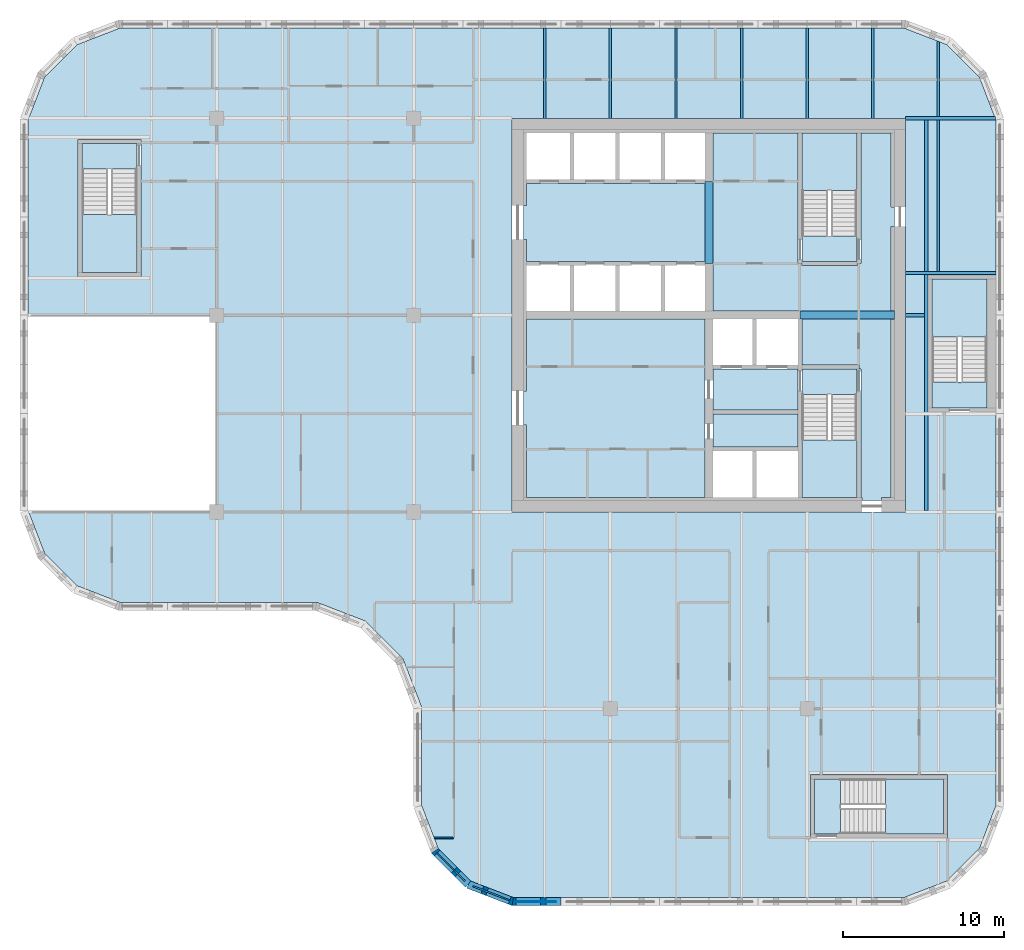
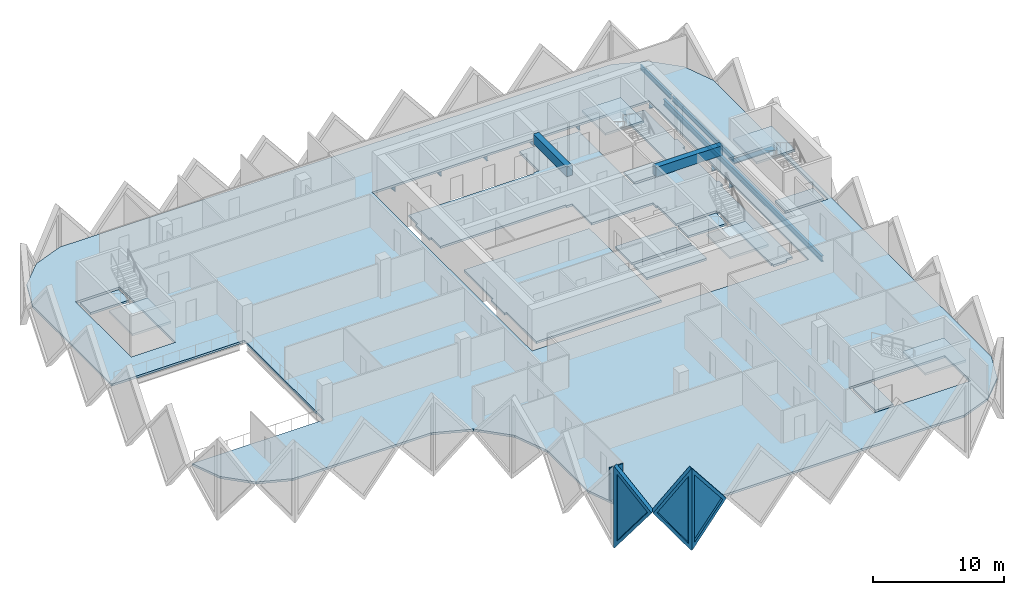
# One storey, part 2 of 12: 15 slabs, 14 beams, 4 walls, 3 plates, 3 openings, 5 elements without a shape of their own.
"""IFC4 building model written with IfcOpenShell, lengths in metres."""

from ifc_helpers import new_model, si_unit, direction, frame, frame_2d, origin, origin_2d, place, context, subcontext, project, spatial, polyline, rectangle, i_section, outline, extrude, faceted_brep, source, transform, mapped, material, layer, layer_set, material_profile, profile_set, type_object, element, fill, aggregate, save


model = new_model("IFC4")

# Units and contexts
model_context = context("Model", 3, precision=1e-05, world=origin(), true_north=direction((0.0, 1.0)))
body_context = subcontext(model_context, "Body", "Model", "MODEL_VIEW")
ifc_project = project(units=[si_unit("LENGTHUNIT", "METRE"), si_unit("AREAUNIT", "SQUARE_METRE"), si_unit("VOLUMEUNIT", "CUBIC_METRE"), si_unit("PLANEANGLEUNIT", "RADIAN"), si_unit("MASSUNIT", "GRAM", prefix="KILO")], contexts=[model_context])

# Site, building, storey
site_placement = place(None, origin())
site = spatial("IfcSite", under=ifc_project, at=site_placement, CompositionType="ELEMENT")
building_placement = place(site_placement, origin())
building = spatial("IfcBuilding", under=site, at=building_placement, Name="Tessera Gate Towers", CompositionType="ELEMENT")
storey_placement = place(building_placement, frame((0.0, 0.0, 143.0)))
storey = spatial("IfcBuildingStorey", under=building, at=storey_placement, Name="L35", CompositionType="ELEMENT", Elevation=143.0)

# Beams
ifc_material_1 = material(Name="Concrete C60/75", Category="concrete")
ifc_material_profile_1 = material_profile(ifc_material_1, rectangle(XDim=0.5, YDim=0.89990234375, at=origin_2d()), Name="RC 500x900")
ifc_profile_set_1 = profile_set([ifc_material_profile_1], Name="Concrete C60/75")
beam_type_1 = type_object("IfcBeamType", Name="COUPLING BEAM 500x900 C60/75", PredefinedType="BEAM", material=ifc_profile_set_1)
beam_1_placement = place(storey_placement, frame((48.35009765625, 36.60009765625, 3.14990234375), z_axis=(1.0, 0.0, 0.0), x_axis=(0.0, 1.0, 0.0)))
element("IfcBeam", 1, at=beam_1_placement, inside=storey, type_object=beam_type_1, Name="L35 coupling beam 1", PredefinedType="BEAM", context=body_context, shape_type="SweptSolid", body=[
    extrude(rectangle(XDim=0.5, YDim=0.89990234375, at=origin_2d()), origin(), (0.0, 0.0, 1.0), 5.849853515625),
])
beam_2_placement = place(storey_placement, frame((42.699951171875, 39.800048828125, 3.14990234375), z_axis=(0.0, 1.0, 0.0), x_axis=(-1.0, 0.0, 0.0)))
element("IfcBeam", 2, at=beam_2_placement, inside=storey, type_object=beam_type_1, Name="L35 coupling beam 2", PredefinedType="BEAM", context=body_context, shape_type="SweptSolid", body=[
    extrude(rectangle(XDim=0.5, YDim=0.89990234375, at=origin_2d()), origin(), (0.0, 0.0, 1.0), 5.099853515625),
])
ifc_material_2 = material(Name="Steel 350W", Category="steel")
ifc_material_profile_2 = material_profile(ifc_material_2, i_section(OverallWidth=0.208984375, OverallDepth=0.532958984375, WebThickness=0.01025390625, FlangeThickness=0.015625, at=origin_2d()), Name="W530x92")
ifc_profile_set_2 = profile_set([ifc_material_profile_2], Name="Steel 350W")
beam_type_2 = type_object("IfcBeamType", Name="FLOOR GIRDER W530x92", PredefinedType="BEAM", material=ifc_profile_set_2)
beam_3_placement = place(storey_placement, frame((54.89892578125, 36.60009765625, -0.466552734375), z_axis=(1.0, 0.0, 0.0), x_axis=(0.0, 1.0, 0.0)))
element("IfcBeam", 3, at=beam_3_placement, inside=storey, type_object=beam_type_2, Name="T1-GD-L35-4158", PredefinedType="BEAM", context=body_context, shape_type="SweptSolid", body=[
    extrude(i_section(OverallWidth=0.208984375, OverallDepth=0.532958984375, WebThickness=0.01025390625, FlangeThickness=0.015625, at=origin_2d()), origin(), (0.0, 0.0, 1.0), 1.176513671875),
])
beam_4_placement = place(storey_placement, frame((54.90087890625, 48.800048828125, -0.466552734375), z_axis=(1.0, 0.0, 0.0), x_axis=(0.0, 1.0, 0.0)))
element("IfcBeam", 4, at=beam_4_placement, inside=storey, type_object=beam_type_2, Name="T1-GD-L35-4162", PredefinedType="BEAM", context=body_context, shape_type="SweptSolid", body=[
    extrude(i_section(OverallWidth=0.208984375, OverallDepth=0.532958984375, WebThickness=0.01025390625, FlangeThickness=0.015625, at=origin_2d()), origin(), (0.0, 0.0, 1.0), 5.564208984375),
])
beam_5_placement = place(storey_placement, frame((54.89892578125, 39.219970703125, -0.466552734375), z_axis=(1.0, 0.0, 0.0), x_axis=(0.0, 1.0, 0.0)))
element("IfcBeam", 5, at=beam_5_placement, inside=storey, type_object=beam_type_2, Name="T1-GD-L35-4180", PredefinedType="BEAM", context=body_context, shape_type="SweptSolid", body=[
    extrude(i_section(OverallWidth=0.208984375, OverallDepth=0.532958984375, WebThickness=0.01025390625, FlangeThickness=0.015625, at=origin_2d()), origin(), (0.0, 0.0, 1.0), 5.60205078125),
])
beam_6_placement = place(storey_placement, frame((56.179931640625, 24.50439453125, -0.466552734375), z_axis=(0.0, 1.0, 0.0), x_axis=(-1.0, 0.0, 0.0)))
element("IfcBeam", 6, at=beam_6_placement, inside=storey, type_object=beam_type_2, Name="T1-GD-L35-4181", PredefinedType="BEAM", context=body_context, shape_type="SweptSolid", body=[
    extrude(i_section(OverallWidth=0.208984375, OverallDepth=0.532958984375, WebThickness=0.01025390625, FlangeThickness=0.015625, at=origin_2d()), origin(), (0.0, 0.0, 1.0), 24.191162109375),
])
ifc_material_3 = material(Name="Steel 350W", Category="steel")
ifc_material_profile_3 = material_profile(ifc_material_3, i_section(OverallWidth=0.153076171875, OverallDepth=0.455078125, WebThickness=0.008056640625, FlangeThickness=0.01318359375, at=origin_2d()), Name="W460x60")
ifc_profile_set_3 = profile_set([ifc_material_profile_3], Name="Steel 350W")
beam_type_3 = type_object("IfcBeamType", Name="FLOOR SECONDARY W460x60", PredefinedType="BEAM", material=ifc_profile_set_3)
for number, where, z_axis, x_axis, name in (
    (7, (32.533203125, 48.800048828125, -0.427490234375), (0.0, 1.0, 0.0), (-1.0, 0.0, 0.0), "T1-BM-L35-4203"),
    (8, (36.60009765625, 48.800048828125, -0.427490234375), (0.0, 1.0, 0.0), (-1.0, 0.0, 0.0), "T1-BM-L35-4204"),
    (9, (40.666748046875, 48.800048828125, -0.427490234375), (0.0, 1.0, 0.0), (-1.0, 0.0, 0.0), "T1-BM-L35-4207"),
    (10, (44.7333984375, 48.800048828125, -0.427490234375), (0.0, 1.0, 0.0), (-1.0, 0.0, 0.0), "T1-BM-L35-4210"),
    (11, (48.800048828125, 48.800048828125, -0.427490234375), (0.0, 1.0, 0.0), (-1.0, 0.0, 0.0), "T1-BM-L35-4211"),
    (12, (52.86669921875, 48.800048828125, -0.427490234375), (0.0, 1.0, 0.0), (-1.0, 0.0, 0.0), "T1-BM-L35-4215"),
):
    element("IfcBeam", number, at=place(storey_placement, frame(where, z_axis=z_axis, x_axis=x_axis)), inside=storey, type_object=beam_type_3, Name=name, PredefinedType="BEAM", context=body_context, shape_type="SweptSolid", body=[
        extrude(i_section(OverallWidth=0.153076171875, OverallDepth=0.455078125, WebThickness=0.008056640625, FlangeThickness=0.01318359375, at=origin_2d()), origin(), (0.0, 0.0, 1.0), 5.599853515625),
    ])
beam_7_placement = place(storey_placement, frame((56.933349609375, 39.324462890625, -0.427490234375), z_axis=(0.0, 1.0, 0.0), x_axis=(-1.0, 0.0, 0.0)))
element("IfcBeam", 13, at=beam_7_placement, inside=storey, type_object=beam_type_3, Name="T1-BM-L35-4220", PredefinedType="BEAM", context=body_context, shape_type="SweptSolid", body=[
    extrude(i_section(OverallWidth=0.153076171875, OverallDepth=0.455078125, WebThickness=0.008056640625, FlangeThickness=0.01318359375, at=origin_2d()), origin(), (0.0, 0.0, 1.0), 9.37109375),
])
beam_8_placement = place(storey_placement, frame((56.933349609375, 48.904541015625, -0.427490234375), z_axis=(0.0, 1.0, 0.0), x_axis=(-1.0, 0.0, 0.0)))
element("IfcBeam", 14, at=beam_8_placement, inside=storey, type_object=beam_type_3, Name="T1-BM-L35-4221", PredefinedType="BEAM", context=body_context, shape_type="SweptSolid", body=[
    extrude(i_section(OverallWidth=0.153076171875, OverallDepth=0.455078125, WebThickness=0.008056640625, FlangeThickness=0.01318359375, at=origin_2d()), origin(), (0.0, 0.0, 1.0), 4.675048828125),
])

# Slabs
ifc_material_4 = material(Name="Concrete C35/45", Category="concrete")
ifc_layer_1 = layer(ifc_material_4, 0.199951171875)
ifc_layer_set_1 = layer_set([ifc_layer_1], Name="COMPOSITE FLOOR 200")
slab_type_1 = type_object("IfcSlabType", Name="COMPOSITE FLOOR 200", PredefinedType="FLOOR", material=ifc_layer_set_1)
slab_1_placement = place(storey_placement, frame((0.0, 0.0, -0.199951171875)))
element("IfcSlab", 15, at=slab_1_placement, inside=storey, type_object=slab_type_1, Name="T1-L35", PredefinedType="FLOOR", context=body_context, shape_type="SweptSolid", body=[
    extrude(outline(polyline([(0.5, 36.60009765625), (12.199951171875, 36.60009765625), (12.199951171875, 24.39990234375), (0.535888671875, 24.39990234375), (1.526123046875, 21.8330078125), (3.533203125, 19.826171875), (6.193115234375, 18.800048828125), (18.39306640625, 18.800048828125), (21.42431640625, 17.630615234375), (23.730712890625, 15.32421875), (24.89990234375, 12.293212890625), (24.89990234375, 6.193115234375), (25.926025390625, 3.533203125), (27.93310546875, 1.526123046875), (30.593017578125, 0.5), (54.806884765625, 0.5), (57.466796875, 1.526123046875), (59.473876953125, 3.533203125), (60.5, 6.193115234375), (60.5, 48.706787109375), (59.473876953125, 51.366943359375), (57.466796875, 53.373779296875), (54.806884765625, 54.39990234375), (6.193115234375, 54.39990234375), (3.533203125, 53.373779296875), (1.526123046875, 51.366943359375), (0.5, 48.706787109375), (0.5, 36.60009765625)]), holes=[polyline([(3.60009765625, 39.0), (3.60009765625, 47.5), (7.5, 47.5), (7.5, 39.0), (3.60009765625, 39.0)]), polyline([(30.5, 24.39990234375), (30.5, 48.800048828125), (54.89990234375, 48.800048828125), (54.89990234375, 24.39990234375), (30.5, 24.39990234375)]), polyline([(49.0, 4.199951171875), (49.0, 8.10009765625), (57.5, 8.10009765625), (57.5, 4.199951171875), (49.0, 4.199951171875)]), polyline([(56.300048828125, 30.60009765625), (56.300048828125, 39.10009765625), (60.199951171875, 39.10009765625), (60.199951171875, 30.60009765625), (56.300048828125, 30.60009765625)])]), origin(), (0.0, 0.0, 1.0), 0.199951171875),
])
ifc_material_5 = material(Name="Concrete C35/45", Category="concrete")
ifc_layer_2 = layer(ifc_material_5, 0.199951171875)
ifc_layer_set_2 = layer_set([ifc_layer_2], Name="CORE FLOOR SLAB 200")
slab_type_2 = type_object("IfcSlabType", Name="CORE FLOOR SLAB 200", PredefinedType="FLOOR", material=ifc_layer_set_2)
slab_2_placement = place(storey_placement, frame((0.0, 0.0, -0.199951171875)))
element("IfcSlab", 16, at=slab_2_placement, inside=storey, type_object=slab_type_2, Name="L35 core floor slab", PredefinedType="FLOOR", context=body_context, shape_type="SweptSolid", body=[
    extrude(outline(polyline([(42.449951171875, 44.89990234375), (42.449951171875, 44.77490234375), (31.39990234375, 44.77490234375), (31.39990234375, 43.39990234375), (31.199951171875, 43.39990234375), (31.199951171875, 41.300048828125), (31.39990234375, 41.300048828125), (31.39990234375, 39.925048828125), (42.449951171875, 39.925048828125), (42.449951171875, 39.800048828125), (42.949951171875, 39.800048828125), (42.949951171875, 36.85009765625), (48.35009765625, 36.85009765625), (48.35009765625, 36.35009765625), (48.47509765625, 36.35009765625), (48.47509765625, 33.52490234375), (52.0, 33.52490234375), (52.0, 33.27490234375), (52.125, 33.27490234375), (52.125, 25.300048828125), (52.199951171875, 25.300048828125), (52.199951171875, 25.10009765625), (53.39990234375, 25.10009765625), (53.39990234375, 25.300048828125), (54.0, 25.300048828125), (54.0, 36.320068359375), (54.199951171875, 36.320068359375), (54.199951171875, 36.8798828125), (54.0, 36.8798828125), (54.0, 42.10009765625), (54.199951171875, 42.10009765625), (54.199951171875, 43.300048828125), (54.0, 43.300048828125), (54.0, 47.89990234375), (52.125, 47.89990234375), (52.125, 39.800048828125), (51.875, 39.800048828125), (51.875, 39.675048828125), (48.47509765625, 39.675048828125), (48.47509765625, 39.800048828125), (48.22509765625, 39.800048828125), (48.22509765625, 47.89990234375), (42.949951171875, 47.89990234375), (42.949951171875, 44.89990234375), (42.449951171875, 44.89990234375)])), origin(), (0.0, 0.0, 1.0), 0.199951171875),
])
slab_3_placement = place(storey_placement, frame((0.0, 0.0, -0.199951171875)))
element("IfcSlab", 17, at=slab_3_placement, inside=storey, type_object=slab_type_2, Name="L35 core floor slab", PredefinedType="FLOOR", context=body_context, shape_type="SweptSolid", body=[
    extrude(outline(polyline([(31.39990234375, 36.35009765625), (31.39990234375, 31.89990234375), (31.199951171875, 31.89990234375), (31.199951171875, 29.800048828125), (31.39990234375, 29.800048828125), (31.39990234375, 25.300048828125), (42.449951171875, 25.300048828125), (42.449951171875, 36.35009765625), (31.39990234375, 36.35009765625)])), origin(), (0.0, 0.0, 1.0), 0.199951171875),
])
slab_4_placement = place(storey_placement, frame((0.0, 0.0, -0.199951171875)))
element("IfcSlab", 18, at=slab_4_placement, inside=storey, type_object=slab_type_2, Name="L35 core floor slab", PredefinedType="FLOOR", context=body_context, shape_type="SweptSolid", body=[
    extrude(outline(polyline([(42.949951171875, 33.27490234375), (42.949951171875, 30.72509765625), (48.22509765625, 30.72509765625), (48.22509765625, 33.27490234375), (42.949951171875, 33.27490234375)])), origin(), (0.0, 0.0, 1.0), 0.199951171875),
])
slab_5_placement = place(storey_placement, frame((0.0, 0.0, -0.199951171875)))
element("IfcSlab", 19, at=slab_5_placement, inside=storey, type_object=slab_type_2, Name="L35 core floor slab", PredefinedType="FLOOR", context=body_context, shape_type="SweptSolid", body=[
    extrude(outline(polyline([(48.22509765625, 30.47509765625), (42.949951171875, 30.47509765625), (42.949951171875, 28.425048828125), (48.22509765625, 28.425048828125), (48.22509765625, 30.47509765625)])), origin(), (0.0, 0.0, 1.0), 0.199951171875),
])
slab_6_placement = place(storey_placement, frame((0.0, 0.0, -0.199951171875)))
element("IfcSlab", 20, at=slab_6_placement, inside=storey, type_object=slab_type_2, Name="L35 core floor slab", PredefinedType="FLOOR", context=body_context, shape_type="SweptSolid", body=[
    extrude(outline(polyline([(51.875, 31.675048828125), (51.875, 33.27490234375), (48.47509765625, 33.27490234375), (48.47509765625, 31.675048828125), (51.875, 31.675048828125)])), origin(), (0.0, 0.0, 1.0), 0.199951171875),
])
slab_7_placement = place(storey_placement, frame((0.0, 0.0, -0.199951171875)))
element("IfcSlab", 21, at=slab_7_placement, inside=storey, type_object=slab_type_2, Name="L35 core floor slab", PredefinedType="FLOOR", context=body_context, shape_type="SweptSolid", body=[
    extrude(outline(polyline([(48.47509765625, 41.52490234375), (48.47509765625, 39.925048828125), (51.875, 39.925048828125), (51.875, 41.52490234375), (48.47509765625, 41.52490234375)])), origin(), (0.0, 0.0, 1.0), 0.199951171875),
])
slab_8_placement = place(storey_placement, frame((0.0, 0.0, -0.199951171875)))
element("IfcSlab", 22, at=slab_8_placement, inside=storey, type_object=slab_type_2, Name="L35 ST3 floor landing", PredefinedType="FLOOR", context=body_context, shape_type="SweptSolid", body=[
    extrude(outline(polyline([(3.85009765625, 47.25), (3.85009765625, 45.64990234375), (7.25, 45.64990234375), (7.25, 47.25), (3.85009765625, 47.25)])), origin(), (0.0, 0.0, 1.0), 0.199951171875),
])
slab_9_placement = place(storey_placement, frame((0.0, 0.0, -0.199951171875)))
element("IfcSlab", 23, at=slab_9_placement, inside=storey, type_object=slab_type_2, Name="L35 ST4 floor landing", PredefinedType="FLOOR", context=body_context, shape_type="SweptSolid", body=[
    extrude(outline(polyline([(49.25, 4.449951171875), (50.85009765625, 4.449951171875), (50.85009765625, 7.85009765625), (49.25, 7.85009765625), (49.25, 4.449951171875)])), origin(), (0.0, 0.0, 1.0), 0.199951171875),
])
slab_10_placement = place(storey_placement, frame((0.0, 0.0, -0.199951171875)))
element("IfcSlab", 24, at=slab_10_placement, inside=storey, type_object=slab_type_2, Name="L35 ST5 floor landing", PredefinedType="FLOOR", context=body_context, shape_type="SweptSolid", body=[
    extrude(outline(polyline([(59.949951171875, 30.85009765625), (59.949951171875, 32.449951171875), (56.550048828125, 32.449951171875), (56.550048828125, 30.85009765625), (59.949951171875, 30.85009765625)])), origin(), (0.0, 0.0, 1.0), 0.199951171875),
])

# Stair, slab
ifc_material_6 = material(Name="Concrete C40/50", Category="concrete")
stair_type_1 = type_object("IfcStairType", Name="EXIT STAIR ST1 1600", PredefinedType="HALF_TURN_STAIR", material=ifc_material_6)
stair_1_placement = place(storey_placement, origin())
stair_1 = element("IfcStair", 25, at=stair_1_placement, inside=storey, type_object=stair_type_1, Name="L35 Protected Exit Stair ST1", PredefinedType="HALF_TURN_STAIR")
ifc_material_7 = material(Name="Concrete C40/50", Category="concrete")
ifc_layer_3 = layer(ifc_material_7, 0.199951171875)
ifc_layer_set_3 = layer_set([ifc_layer_3], Name="EXIT STAIR LANDING 200")
slab_type_3 = type_object("IfcSlabType", Name="EXIT STAIR LANDING 200", PredefinedType="LANDING", material=ifc_layer_set_3)
slab_11_placement = place(storey_placement, frame((0.0, 0.0, 1.699951171875)))
slab_11 = element("IfcSlab", 26, at=slab_11_placement, type_object=slab_type_3, Name="ST1 landing 1", PredefinedType="LANDING", context=body_context, shape_type="SweptSolid", body=[
    extrude(outline(polyline([(48.47509765625, 28.875), (48.47509765625, 25.300048828125), (51.875, 25.300048828125), (51.875, 28.875), (48.47509765625, 28.875)])), origin(), (0.0, 0.0, 1.0), 0.199951171875),
])
aggregate(stair_1, [slab_11])

ifc_material_8 = material(Name="Concrete C40/50", Category="concrete")
stair_type_2 = type_object("IfcStairType", Name="EXIT STAIR ST2 1600", PredefinedType="HALF_TURN_STAIR", material=ifc_material_8)
stair_2_placement = place(storey_placement, origin())
stair_2 = element("IfcStair", 27, at=stair_2_placement, inside=storey, type_object=stair_type_2, Name="L35 Protected Exit Stair ST2", PredefinedType="HALF_TURN_STAIR")
slab_12_placement = place(storey_placement, frame((0.0, 0.0, 1.699951171875)))
slab_12 = element("IfcSlab", 28, at=slab_12_placement, type_object=slab_type_3, Name="ST2 landing 1", PredefinedType="LANDING", context=body_context, shape_type="SweptSolid", body=[
    extrude(outline(polyline([(51.875, 44.324951171875), (51.875, 47.89990234375), (48.47509765625, 47.89990234375), (48.47509765625, 44.324951171875), (51.875, 44.324951171875)])), origin(), (0.0, 0.0, 1.0), 0.199951171875),
])
aggregate(stair_2, [slab_12])

ifc_material_9 = material(Name="Concrete C40/50", Category="concrete")
stair_type_3 = type_object("IfcStairType", Name="EXIT STAIR ST3 1600", PredefinedType="HALF_TURN_STAIR", material=ifc_material_9)
stair_3_placement = place(storey_placement, origin())
stair_3 = element("IfcStair", 29, at=stair_3_placement, inside=storey, type_object=stair_type_3, Name="L35 West Exit Stair ST3", PredefinedType="HALF_TURN_STAIR")
slab_13_placement = place(storey_placement, frame((0.0, 0.0, 1.699951171875)))
slab_13 = element("IfcSlab", 30, at=slab_13_placement, type_object=slab_type_3, Name="ST3 landing 1", PredefinedType="LANDING", context=body_context, shape_type="SweptSolid", body=[
    extrude(outline(polyline([(3.85009765625, 42.85009765625), (3.85009765625, 39.25), (7.25, 39.25), (7.25, 42.85009765625), (3.85009765625, 42.85009765625)])), origin(), (0.0, 0.0, 1.0), 0.199951171875),
])
aggregate(stair_3, [slab_13])

ifc_material_10 = material(Name="Concrete C40/50", Category="concrete")
stair_type_4 = type_object("IfcStairType", Name="EXIT STAIR ST4 1600", PredefinedType="HALF_TURN_STAIR", material=ifc_material_10)
stair_4_placement = place(storey_placement, origin())
stair_4 = element("IfcStair", 31, at=stair_4_placement, inside=storey, type_object=stair_type_4, Name="L35 South Exit Stair ST4", PredefinedType="HALF_TURN_STAIR")
slab_14_placement = place(storey_placement, frame((0.0, 0.0, 1.699951171875)))
slab_14 = element("IfcSlab", 32, at=slab_14_placement, type_object=slab_type_3, Name="ST4 landing 1", PredefinedType="LANDING", context=body_context, shape_type="SweptSolid", body=[
    extrude(outline(polyline([(53.64990234375, 4.449951171875), (57.25, 4.449951171875), (57.25, 7.85009765625), (53.64990234375, 7.85009765625), (53.64990234375, 4.449951171875)])), origin(), (0.0, 0.0, 1.0), 0.199951171875),
])
aggregate(stair_4, [slab_14])

ifc_material_11 = material(Name="Concrete C40/50", Category="concrete")
stair_type_5 = type_object("IfcStairType", Name="EXIT STAIR ST5 1600", PredefinedType="HALF_TURN_STAIR", material=ifc_material_11)
stair_5_placement = place(storey_placement, origin())
stair_5 = element("IfcStair", 33, at=stair_5_placement, inside=storey, type_object=stair_type_5, Name="L35 East Exit Stair ST5", PredefinedType="HALF_TURN_STAIR")
slab_15_placement = place(storey_placement, frame((0.0, 0.0, 1.699951171875)))
slab_15 = element("IfcSlab", 34, at=slab_15_placement, type_object=slab_type_3, Name="ST5 landing 1", PredefinedType="LANDING", context=body_context, shape_type="SweptSolid", body=[
    extrude(outline(polyline([(59.949951171875, 35.25), (59.949951171875, 38.85009765625), (56.550048828125, 38.85009765625), (56.550048828125, 35.25), (59.949951171875, 35.25)])), origin(), (0.0, 0.0, 1.0), 0.199951171875),
])
aggregate(stair_5, [slab_15])

# Wall
ifc_material_12 = material(Name="Gypsum board on steel studs", Category="steel")
ifc_layer_4 = layer(ifc_material_12, 0.10009765625)
ifc_layer_set_4 = layer_set([ifc_layer_4], Name="PARTITION 100")
wall_type_1 = type_object("IfcWallType", Name="PARTITION 100", PredefinedType="PARTITIONING", material=ifc_layer_set_4)
wall_1_placement = place(storey_placement, frame((25.668701171875, 4.199951171875, 0.0), z_axis=(0.0, 0.0, 1.0), x_axis=(1.0, 0.0, 0.0)))
element("IfcWall", 35, at=wall_1_placement, inside=storey, type_object=wall_type_1, Name="T1-L35-PW-003", PredefinedType="PARTITIONING", context=body_context, shape_type="SweptSolid", body=[
    extrude(rectangle(XDim=1.180419921875, YDim=0.10009765625, at=frame_2d((0.59033203125, 0.0))), origin(), (0.0, 0.0, 1.0), 3.06689453125),
])

# Wall, opening, plate
ifc_material_13 = material(Name="Precast concrete C60/75 white", Category="concrete")
ifc_layer_5 = layer(ifc_material_13, 0.5)
ifc_layer_set_5 = layer_set([ifc_layer_5], Name="TS3 corner tessera")
wall_type_2 = type_object("IfcWallType", Name="TS3 corner tessera", PredefinedType="SOLIDWALL", material=ifc_layer_set_5)
shared_shape_1 = source(origin(), body_context, "Body", "Brep", [
    faceted_brep([(0.046630859375, -0.25, 0.0), (3.050048828125, -0.25, 3.800048828125), (0.046630859375, -0.25, 7.60009765625), (0.0, -0.25, 7.5400390625), (0.0, -0.25, 0.06005859375), (0.09326171875, 0.25, 7.541259765625), (3.050048828125, 0.25, 3.800048828125), (0.09326171875, 0.25, 0.058837890625), (0.046630859375, 0.0, 0.0), (0.046630859375, 0.0, 7.60009765625)], [[[0, 1, 2, 3, 4]], [[5, 6, 7]], [[7, 6, 1, 0, 8]], [[6, 5, 9, 2, 1]], [[3, 2, 9]], [[8, 0, 4]], [[7, 8, 4, 3, 9, 5]]]),
])
wall_2_placement = place(storey_placement, frame((30.5, 0.25, -3.800048828125), z_axis=(0.0, 0.0, 1.0), x_axis=(1.0, 0.0, 0.0)))
wall_2 = element("IfcWall", 36, at=wall_2_placement, inside=storey, type_object=wall_type_2, Name="Precast corner tessera T1 TS3-0793", PredefinedType="SOLIDWALL", context=body_context, shape_type="MappedRepresentation", body=[
    mapped(shared_shape_1, transform((0.0, 0.0, 0.0), scale=1.0)),
])
shared_shape_2 = source(origin(), body_context, "Body", "SweptSolid", [
    extrude(outline(polyline([(0.24658203125, 0.65625), (2.7314453125, 3.800048828125), (0.24658203125, 6.94384765625), (0.24658203125, 0.65625)])), frame((0.0, 0.260009765625, 0.0), z_axis=(0.0, -1.0, 0.0), x_axis=(1.0, 0.0, 0.0)), (0.0, 0.0, 1.0), 0.52001953125),
])
opening_1_placement = place(wall_2_placement, origin())
opening_1 = element("IfcOpeningElement", 37, at=opening_1_placement, cuts=wall_2, Name="Opening T1-PL2-1222", PredefinedType="OPENING", context=body_context, shape_type="MappedRepresentation", body=[
    mapped(shared_shape_2, transform((0.0, 0.0, 0.0), scale=1.0)),
])
ifc_material_14 = material(Name="Low-e laminated glass", Category="glass")
ifc_layer_6 = layer(ifc_material_14, 0.06005859375)
ifc_layer_set_6 = layer_set([ifc_layer_6], Name="PL2 rhombic pane")
plate_type = type_object("IfcPlateType", Name="PL2 rhombic pane", PredefinedType="SHEET", material=ifc_layer_set_6)
shared_shape_3 = source(origin(), body_context, "Body", "SweptSolid", [
    extrude(outline(polyline([(0.24658203125, 0.65625), (2.7314453125, 3.800048828125), (0.24658203125, 6.94384765625), (0.24658203125, 0.65625)])), frame((0.0, 0.030029296875, 0.0), z_axis=(0.0, -1.0, 0.0), x_axis=(1.0, 0.0, 0.0)), (0.0, 0.0, 1.0), 0.06005859375),
])
plate_1_placement = place(opening_1_placement, origin())
plate_1 = element("IfcPlate", 38, at=plate_1_placement, inside=storey, type_object=plate_type, Name="Glass pane T1 PL2-1222", PredefinedType="SHEET", context=body_context, shape_type="MappedRepresentation", body=[
    mapped(shared_shape_3, transform((0.0, 0.0, 0.0), scale=1.0)),
])
fill(opening_1, plate_1)

shared_shape_4 = source(origin(), body_context, "Body", "Brep", [
    faceted_brep([(0.052978515625, -0.25, 0.0), (2.9970703125, -0.25, 3.800048828125), (0.052978515625, -0.25, 7.60009765625), (0.0, -0.25, 7.531982421875), (0.0, -0.25, 0.068115234375), (0.10595703125, 0.25, 7.53173828125), (2.944091796875, 0.25, 3.8681640625), (2.944091796875, 0.25, 3.73193359375), (0.10595703125, 0.25, 0.068359375), (2.9970703125, 0.000244140625, 3.800048828125), (0.052978515625, 0.0, 0.0), (0.052978515625, 0.0, 7.60009765625)], [[[0, 1, 2, 3, 4]], [[5, 6, 7, 8]], [[8, 7, 9, 1, 0, 10]], [[6, 5, 11, 2, 1, 9]], [[3, 2, 11]], [[10, 0, 4]], [[8, 10, 4, 3, 11, 5]], [[9, 7, 6]]]),
])
wall_3_placement = place(storey_placement, frame((25.674560546875, 3.43115234375, -3.800048828125), z_axis=(0.0, 0.0, 1.0), x_axis=(0.707106781187, -0.707106781187, 0.0)))
wall_3 = element("IfcWall", 39, at=wall_3_placement, inside=storey, type_object=wall_type_2, Name="Precast corner tessera T1 TS3-0816", PredefinedType="SOLIDWALL", context=body_context, shape_type="MappedRepresentation", body=[
    mapped(shared_shape_4, transform((0.0, 0.0, 0.0), scale=1.0)),
])
shared_shape_5 = source(origin(), body_context, "Body", "SweptSolid", [
    extrude(outline(polyline([(0.2529296875, 0.666259765625), (2.680908203125, 3.800048828125), (0.2529296875, 6.933837890625), (0.2529296875, 0.666259765625)])), frame((0.0, 0.260009765625, 0.0), z_axis=(0.0, -1.0, 0.0), x_axis=(1.0, 0.0, 0.0)), (0.0, 0.0, 1.0), 0.52001953125),
])
opening_2_placement = place(wall_3_placement, origin())
opening_2 = element("IfcOpeningElement", 40, at=opening_2_placement, cuts=wall_3, Name="Opening T1-PL2-1268", PredefinedType="OPENING", context=body_context, shape_type="MappedRepresentation", body=[
    mapped(shared_shape_5, transform((0.0, 0.0, 0.0), scale=1.0)),
])
shared_shape_6 = source(origin(), body_context, "Body", "SweptSolid", [
    extrude(outline(polyline([(0.2529296875, 0.666259765625), (2.680908203125, 3.800048828125), (0.2529296875, 6.933837890625), (0.2529296875, 0.666259765625)])), frame((0.0, 0.030029296875, 0.0), z_axis=(0.0, -1.0, 0.0), x_axis=(1.0, 0.0, 0.0)), (0.0, 0.0, 1.0), 0.06005859375),
])
plate_2_placement = place(opening_2_placement, origin())
plate_2 = element("IfcPlate", 41, at=plate_2_placement, inside=storey, type_object=plate_type, Name="Glass pane T1 PL2-1268", PredefinedType="SHEET", context=body_context, shape_type="MappedRepresentation", body=[
    mapped(shared_shape_6, transform((0.0, 0.0, 0.0), scale=1.0)),
])
fill(opening_2, plate_2)

shared_shape_7 = source(origin(), body_context, "Body", "Brep", [
    faceted_brep([(2.950439453125, -0.25, 0.0), (2.9970703125, -0.25, 0.05908203125), (2.9970703125, -0.25, 7.541015625), (2.950439453125, -0.25, 7.60009765625), (0.0, -0.25, 3.800048828125), (0.052978515625, 0.25, 3.8681640625), (2.904052734375, 0.25, 7.540283203125), (2.904052734375, 0.25, 0.059814453125), (0.052978515625, 0.25, 3.73193359375), (2.950439453125, 0.00048828125, 0.0), (2.950439453125, 0.00048828125, 7.60009765625), (0.0, 0.0, 3.800048828125)], [[[0, 1, 2, 3, 4]], [[5, 6, 7, 8]], [[1, 0, 9]], [[10, 3, 2]], [[6, 5, 11, 4, 3, 10]], [[8, 7, 9, 0, 4, 11]], [[8, 11, 5]], [[1, 9, 7, 6, 10, 2]]]),
])
wall_4_placement = place(storey_placement, frame((27.793701171875, 1.31201171875, -3.800048828125), z_axis=(0.0, 0.0, 1.0), x_axis=(0.932973525033, -0.359944998003, 0.0)))
wall_4 = element("IfcWall", 42, at=wall_4_placement, inside=storey, type_object=wall_type_2, Name="Precast corner tessera T1 TS3-0794", PredefinedType="SOLIDWALL", context=body_context, shape_type="MappedRepresentation", body=[
    mapped(shared_shape_7, transform((0.0, 0.0, 0.0), scale=1.0)),
])
shared_shape_8 = source(origin(), body_context, "Body", "SweptSolid", [
    extrude(outline(polyline([(2.75048828125, 6.934814453125), (0.31640625, 3.800048828125), (2.75048828125, 0.665283203125), (2.75048828125, 6.934814453125)])), frame((0.0, 0.260009765625, 0.0), z_axis=(0.0, -1.0, 0.0), x_axis=(1.0, 0.0, 0.0)), (0.0, 0.0, 1.0), 0.52001953125),
])
opening_3_placement = place(wall_4_placement, origin())
opening_3 = element("IfcOpeningElement", 43, at=opening_3_placement, cuts=wall_4, Name="Opening T1-PL2-1223", PredefinedType="OPENING", context=body_context, shape_type="MappedRepresentation", body=[
    mapped(shared_shape_8, transform((0.0, 0.0, 0.0), scale=1.0)),
])
shared_shape_9 = source(origin(), body_context, "Body", "SweptSolid", [
    extrude(outline(polyline([(2.75048828125, 6.934814453125), (0.31640625, 3.800048828125), (2.75048828125, 0.665283203125), (2.75048828125, 6.934814453125)])), frame((0.0, 0.030029296875, 0.0), z_axis=(0.0, -1.0, 0.0), x_axis=(1.0, 0.0, 0.0)), (0.0, 0.0, 1.0), 0.06005859375),
])
plate_3_placement = place(opening_3_placement, origin())
plate_3 = element("IfcPlate", 44, at=plate_3_placement, inside=storey, type_object=plate_type, Name="Glass pane T1 PL2-1223", PredefinedType="SHEET", context=body_context, shape_type="MappedRepresentation", body=[
    mapped(shared_shape_9, transform((0.0, 0.0, 0.0), scale=1.0)),
])
fill(opening_3, plate_3)

save(model, "model.ifc")
